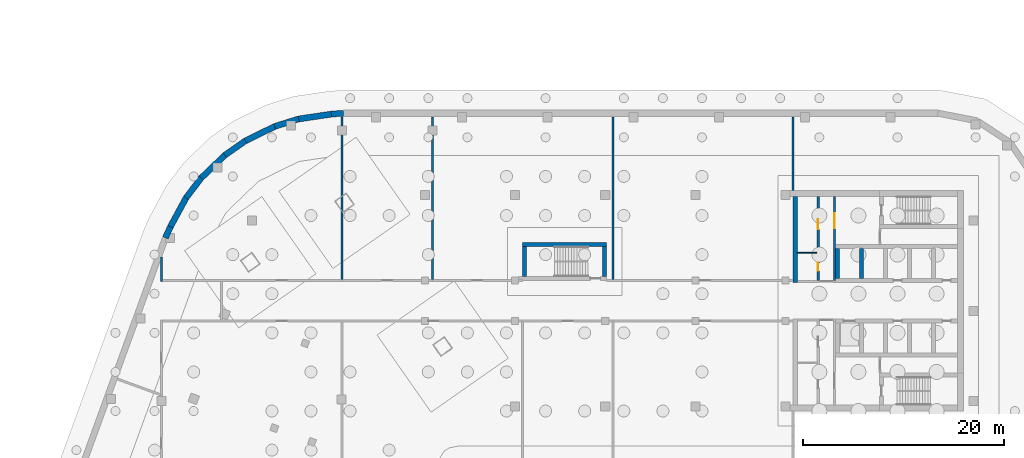
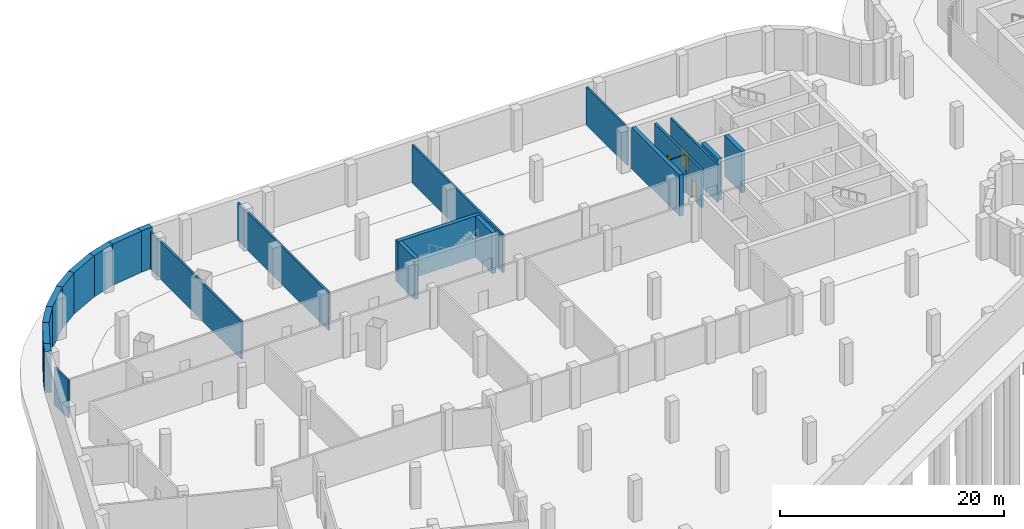
# One storey, part 10 of 18: 23 walls, 3 doors, 3 openings.
"""IFC4 building model written with IfcOpenShell, lengths in metres."""

from ifc_helpers import new_model, si_unit, direction, frame, frame_2d, origin, place, context, subcontext, project, spatial, rectangle, extrude, material, layer, layer_set, type_object, element, fill, save


model = new_model("IFC4")

# Units and contexts
model_context = context("Model", 3, precision=1e-05, world=origin(), true_north=direction((0.0, 1.0)))
body_context = subcontext(model_context, "Body", "Model", "MODEL_VIEW")
ifc_project = project(units=[si_unit("LENGTHUNIT", "METRE"), si_unit("AREAUNIT", "SQUARE_METRE"), si_unit("VOLUMEUNIT", "CUBIC_METRE"), si_unit("PLANEANGLEUNIT", "RADIAN"), si_unit("MASSUNIT", "GRAM", prefix="KILO")], contexts=[model_context])

# Site, building, storey
site_placement = place(None, origin())
site = spatial("IfcSite", under=ifc_project, at=site_placement, CompositionType="ELEMENT")
building_placement = place(site_placement, origin())
building = spatial("IfcBuilding", under=site, at=building_placement, Name="Skarvind Civic Tower", CompositionType="ELEMENT")
storey_placement = place(building_placement, frame((0.0, 0.0, -9.0)))
storey = spatial("IfcBuildingStorey", under=building, at=storey_placement, Name="B2", CompositionType="ELEMENT", Elevation=-9.0)

# Walls
ifc_material_1 = material(Name="Concrete C40", Category="concrete")
ifc_layer_1 = layer(ifc_material_1, 0.60009765625)
ifc_layer_set_1 = layer_set([ifc_layer_1], Name="Basement retaining wall 600 C40")
wall_type_1 = type_object("IfcWallType", Name="Basement retaining wall 600 C40", PredefinedType="SHEAR", material=ifc_layer_set_1)
wall_1_placement = place(storey_placement, frame((28.38037109375, 134.268310546875, 0.0), z_axis=(0.0, 0.0, 1.0), x_axis=(0.410489806774, 0.911865186601, 0.0)))
element("IfcWall", 1, at=wall_1_placement, inside=storey, type_object=wall_type_1, Name="Basement retaining wall B2 15", PredefinedType="SHEAR", context=body_context, shape_type="SweptSolid", body=[
    extrude(rectangle(XDim=1.216796875, YDim=0.60009765625, at=frame_2d((0.6083984375, 0.0))), origin(), (0.0, 0.0, 1.0), 4.5),
])
wall_2_placement = place(storey_placement, frame((28.8701171875, 135.35791015625, 0.0), z_axis=(0.0, 0.0, 1.0), x_axis=(0.476454595908, 0.879199077591, 0.0)))
element("IfcWall", 2, at=wall_2_placement, inside=storey, type_object=wall_type_1, Name="Basement retaining wall B2 16", PredefinedType="SHEAR", context=body_context, shape_type="SweptSolid", body=[
    extrude(rectangle(XDim=3.3486328125, YDim=0.60009765625, at=frame_2d((1.67431640625, 0.0))), origin(), (0.0, 0.0, 1.0), 4.5),
])
wall_3_placement = place(storey_placement, frame((30.440673828125, 138.262939453125, 0.0), z_axis=(0.0, 0.0, 1.0), x_axis=(0.606063715653, 0.79541610027, 0.0)))
element("IfcWall", 3, at=wall_3_placement, inside=storey, type_object=wall_type_1, Name="Basement retaining wall B2 17", PredefinedType="SHEAR", context=body_context, shape_type="SweptSolid", body=[
    extrude(rectangle(XDim=2.51171875, YDim=0.60009765625, at=frame_2d((1.255859375, 0.0))), origin(), (0.0, 0.0, 1.0), 4.5),
])
wall_4_placement = place(storey_placement, frame((31.931884765625, 140.226318359375, 0.0), z_axis=(0.0, 0.0, 1.0), x_axis=(0.721212073243, 0.692714331747, 0.0)))
element("IfcWall", 4, at=wall_4_placement, inside=storey, type_object=wall_type_1, Name="Basement retaining wall B2 18", PredefinedType="SHEAR", context=body_context, shape_type="SweptSolid", body=[
    extrude(rectangle(XDim=3.341064453125, YDim=0.60009765625, at=frame_2d((1.67041015625, 0.0))), origin(), (0.0, 0.0, 1.0), 4.5),
])
wall_5_placement = place(storey_placement, frame((34.305908203125, 142.511474609375, 0.0), z_axis=(0.0, 0.0, 1.0), x_axis=(0.819136010061, 0.57359933492, 0.0)))
element("IfcWall", 5, at=wall_5_placement, inside=storey, type_object=wall_type_1, Name="Basement retaining wall B2 19", PredefinedType="SHEAR", context=body_context, shape_type="SweptSolid", body=[
    extrude(rectangle(XDim=2.51171875, YDim=0.60009765625, at=frame_2d((1.255859375, 0.0))), origin(), (0.0, 0.0, 1.0), 4.5),
])
wall_6_placement = place(storey_placement, frame((36.323486328125, 143.928466796875, 0.0), z_axis=(0.0, 0.0, 1.0), x_axis=(0.897590342017, 0.440830554656, 0.0)))
element("IfcWall", 6, at=wall_6_placement, inside=storey, type_object=wall_type_1, Name="Basement retaining wall B2 20", PredefinedType="SHEAR", context=body_context, shape_type="SweptSolid", body=[
    extrude(rectangle(XDim=3.34130859375, YDim=0.60009765625, at=frame_2d((1.670654296875, 0.0))), origin(), (0.0, 0.0, 1.0), 4.5),
])
wall_7_placement = place(storey_placement, frame((39.279541015625, 145.384033203125, 0.0), z_axis=(0.0, 0.0, 1.0), x_axis=(0.954711451083, 0.297533267335, 0.0)))
element("IfcWall", 7, at=wall_7_placement, inside=storey, type_object=wall_type_1, Name="Basement retaining wall B2 21", PredefinedType="SHEAR", context=body_context, shape_type="SweptSolid", body=[
    extrude(rectangle(XDim=2.51171875, YDim=0.60009765625, at=frame_2d((1.255859375, 0.0))), origin(), (0.0, 0.0, 1.0), 4.5),
])
wall_8_placement = place(storey_placement, frame((41.63232421875, 146.120849609375, 0.0), z_axis=(0.0, 0.0, 1.0), x_axis=(0.989117960185, 0.14712464389, 0.0)))
element("IfcWall", 8, at=wall_8_placement, inside=storey, type_object=wall_type_1, Name="Basement retaining wall B2 22", PredefinedType="SHEAR", context=body_context, shape_type="SweptSolid", body=[
    extrude(rectangle(XDim=3.3486328125, YDim=0.60009765625, at=frame_2d((1.67431640625, 0.0))), origin(), (0.0, 0.0, 1.0), 4.5),
])
wall_9_placement = place(storey_placement, frame((44.922607421875, 146.611083984375, 0.0), z_axis=(0.0, 0.0, 1.0), x_axis=(0.99726994401, 0.073842120603, 0.0)))
element("IfcWall", 9, at=wall_9_placement, inside=storey, type_object=wall_type_1, Name="Basement retaining wall B2 23", PredefinedType="SHEAR", context=body_context, shape_type="SweptSolid", body=[
    extrude(rectangle(XDim=1.216796875, YDim=0.60009765625, at=frame_2d((0.6083984375, 0.0))), origin(), (0.0, 0.0, 1.0), 4.5),
])

# Wall, opening, door
ifc_material_2 = material(Name="Fire-rated masonry partition", Category="masonry")
ifc_layer_2 = layer(ifc_material_2, 0.199951171875)
ifc_layer_set_2 = layer_set([ifc_layer_2], Name="Core enclosure wall 200")
wall_type_2 = type_object("IfcWallType", Name="Core enclosure wall 200", PredefinedType="PARTITIONING", material=ifc_layer_set_2)
wall_10_placement = place(storey_placement, frame((95.10009765625, 130.0, 0.0), z_axis=(0.0, 0.0, 1.0), x_axis=(0.0, 1.0, 0.0)))
wall_10 = element("IfcWall", 10, at=wall_10_placement, inside=storey, type_object=wall_type_2, Name="Core wall C1", PredefinedType="PARTITIONING", context=body_context, shape_type="SweptSolid", body=[
    extrude(rectangle(XDim=8.39990234375, YDim=0.199951171875, at=frame_2d((4.199951171875, 0.0))), origin(), (0.0, 0.0, 1.0), 4.125),
])
opening_1_placement = place(wall_10_placement, frame((5.25, 0.0, 0.0)))
opening_1 = element("IfcOpeningElement", 11, at=opening_1_placement, cuts=wall_10, Name="Opening D-B2-C1-13", PredefinedType="OPENING", context=body_context, shape_type="SweptSolid", body=[
    extrude(rectangle(XDim=1.5, YDim=2.10009765625, at=frame_2d((0.75, 1.050048828125))), frame((0.0, 0.10986328125, 0.0), z_axis=(0.0, -1.0, 0.0), x_axis=(1.0, 0.0, 0.0)), (0.0, 0.0, 1.0), 0.219970703125),
])
ifc_material_3 = material(Name="Fire-rated steel door", Category="steel")
door_type_1 = type_object("IfcDoorType", Name="Fire door 1500", OperationType="NOTDEFINED", PredefinedType="DOOR", material=ifc_material_3)
door_1_placement = place(opening_1_placement, origin())
door_1 = element("IfcDoor", 12, at=door_1_placement, inside=storey, type_object=door_type_1, Name="Fire door", OperationType="DOUBLE_DOOR_SINGLE_SWING", OverallHeight=2.10009765625, OverallWidth=1.5, PredefinedType="DOOR", context=body_context, shape_type="SweptSolid", body=[
    extrude(rectangle(XDim=1.5, YDim=2.10009765625, at=frame_2d((0.75, 1.050048828125))), frame((0.0, 0.02490234375, 0.0), z_axis=(0.0, -1.0, 0.0), x_axis=(1.0, 0.0, 0.0)), (0.0, 0.0, 1.0), 0.050048828125),
])
fill(opening_1, door_1)

# Walls
ifc_material_4 = material(Name="Fire-rated plasterboard partition")
ifc_layer_3 = layer(ifc_material_4, 0.10009765625)
ifc_layer_set_3 = layer_set([ifc_layer_3], Name="Core partition wall 100")
wall_type_3 = type_object("IfcWallType", Name="Core partition wall 100", PredefinedType="PARTITIONING", material=ifc_layer_set_3)
wall_11_placement = place(storey_placement, frame((91.39990234375, 132.800048828125, 0.0), z_axis=(0.0, 0.0, 1.0), x_axis=(1.0, 0.0, 0.0)))
element("IfcWall", 13, at=wall_11_placement, inside=storey, type_object=wall_type_3, Name="Core wall C1", PredefinedType="PARTITIONING", context=body_context, shape_type="SweptSolid", body=[
    extrude(rectangle(XDim=1.9501953125, YDim=0.10009765625, at=frame_2d((0.97509765625, 0.0))), origin(), (0.0, 0.0, 1.0), 4.125),
])
ifc_material_5 = material(Name="Concrete C80", Category="concrete")
ifc_layer_4 = layer(ifc_material_5, 0.39990234375)
ifc_layer_set_4 = layer_set([ifc_layer_4], Name="Core wall 400 C80")
wall_type_4 = type_object("IfcWallType", Name="Core wall 400 C80", PredefinedType="SHEAR", material=ifc_layer_set_4)
for number, where, z_axis, x_axis, name in (
    (14, (97.800048828125, 133.199951171875, 0.0), (0.0, 0.0, 1.0), (0.0, -1.0, 0.0), "Core wall C1 south lift row division 4 B2"),
    (15, (95.39990234375, 133.199951171875, 0.0), (0.0, 0.0, 1.0), (0.0, -1.0, 0.0), "Core wall C1 south lift row division 5 B2"),
):
    element("IfcWall", number, at=place(storey_placement, frame(where, z_axis=z_axis, x_axis=x_axis)), inside=storey, type_object=wall_type_4, Name=name, PredefinedType="SHEAR", context=body_context, shape_type="SweptSolid", body=[
        extrude(rectangle(XDim=3.0, YDim=0.39990234375, at=frame_2d((1.5, 0.0))), origin(), (0.0, 0.0, 1.0), 4.5),
    ])
wall_12_placement = place(storey_placement, frame((91.199951171875, 138.39990234375, 0.0), z_axis=(0.0, 0.0, 1.0), x_axis=(0.0, -1.0, 0.0)))
element("IfcWall", 16, at=wall_12_placement, inside=storey, type_object=wall_type_4, Name="Core wall C1 south inner face B2", PredefinedType="SHEAR", context=body_context, shape_type="SweptSolid", body=[
    extrude(rectangle(XDim=8.599853515625, YDim=0.39990234375, at=frame_2d((4.2998046875, 0.0))), origin(), (0.0, 0.0, 1.0), 4.5),
])
wall_13_placement = place(storey_placement, frame((64.0, 133.60009765625, 0.0), z_axis=(0.0, 0.0, 1.0), x_axis=(1.0, 0.0, 0.0)))
element("IfcWall", 17, at=wall_13_placement, inside=storey, type_object=wall_type_4, Name="Core wall CM outer B2", PredefinedType="SHEAR", context=body_context, shape_type="SweptSolid", body=[
    extrude(rectangle(XDim=8.39990234375, YDim=0.39990234375, at=frame_2d((4.199951171875, 0.0))), origin(), (0.0, 0.0, 1.0), 4.5),
])
for number, where, z_axis, x_axis, name in (
    (18, (64.199951171875, 130.39990234375, 0.0), (0.0, 0.0, 1.0), (0.0, 1.0, 0.0), "Core wall CM west B2"),
    (19, (72.199951171875, 130.39990234375, 0.0), (0.0, 0.0, 1.0), (0.0, 1.0, 0.0), "Core wall CM end B2"),
):
    element("IfcWall", number, at=place(storey_placement, frame(where, z_axis=z_axis, x_axis=x_axis)), inside=storey, type_object=wall_type_4, Name=name, PredefinedType="SHEAR", context=body_context, shape_type="SweptSolid", body=[
        extrude(rectangle(XDim=3.0, YDim=0.39990234375, at=frame_2d((1.5, 0.0))), origin(), (0.0, 0.0, 1.0), 4.5),
    ])
ifc_material_6 = material(Name="Fire-rated blockwork wall, plastered", Category="masonry")
ifc_layer_5 = layer(ifc_material_6, 0.199951171875)
ifc_layer_set_5 = layer_set([ifc_layer_5], Name="FIRE WALL 200 EI 120")
wall_type_5 = type_object("IfcWallType", Name="FIRE WALL 200 EI 120", PredefinedType="PARTITIONING", material=ifc_layer_set_5)
wall_14_placement = place(storey_placement, frame((46.0, 130.10009765625, 0.0), z_axis=(0.0, 0.0, 1.0), x_axis=(0.0, 1.0, 0.0)))
element("IfcWall", 20, at=wall_14_placement, inside=storey, type_object=wall_type_5, Name="Basement partition B2 018", PredefinedType="PARTITIONING", context=body_context, shape_type="SweptSolid", body=[
    extrude(rectangle(XDim=16.239990234375, YDim=0.199951171875, at=frame_2d((8.1201171875, 0.0))), origin(), (0.0, 0.0, 1.0), 4.125),
])
wall_15_placement = place(storey_placement, frame((55.0, 130.10009765625, 0.0), z_axis=(0.0, 0.0, 1.0), x_axis=(0.0, 1.0, 0.0)))
element("IfcWall", 21, at=wall_15_placement, inside=storey, type_object=wall_type_5, Name="Basement partition B2 023", PredefinedType="PARTITIONING", context=body_context, shape_type="SweptSolid", body=[
    extrude(rectangle(XDim=16.25, YDim=0.199951171875, at=frame_2d((8.125, 0.0))), origin(), (0.0, 0.0, 1.0), 4.125),
])
ifc_layer_6 = layer(ifc_material_6, 0.199951171875)
ifc_layer_set_6 = layer_set([ifc_layer_6], Name="FIRE WALL 200 EI 60")
wall_type_6 = type_object("IfcWallType", Name="FIRE WALL 200 EI 60", PredefinedType="PARTITIONING", material=ifc_layer_set_6)
wall_16_placement = place(storey_placement, frame((28.0, 129.89990234375, 0.0), z_axis=(0.0, 0.0, 1.0), x_axis=(0.0, 1.0, 0.0)))
element("IfcWall", 22, at=wall_16_placement, inside=storey, type_object=wall_type_6, Name="Basement partition B2 008", PredefinedType="PARTITIONING", context=body_context, shape_type="SweptSolid", body=[
    extrude(rectangle(XDim=2.463134765625, YDim=0.199951171875, at=frame_2d((1.2314453125, 0.0))), origin(), (0.0, 0.0, 1.0), 4.125),
])
wall_17_placement = place(storey_placement, frame((73.0, 130.10009765625, 0.0), z_axis=(0.0, 0.0, 1.0), x_axis=(0.0, 1.0, 0.0)))
element("IfcWall", 23, at=wall_17_placement, inside=storey, type_object=wall_type_6, Name="Basement partition B2 034", PredefinedType="PARTITIONING", context=body_context, shape_type="SweptSolid", body=[
    extrude(rectangle(XDim=16.25, YDim=0.199951171875, at=frame_2d((8.125, 0.0))), origin(), (0.0, 0.0, 1.0), 4.125),
])
wall_18_placement = place(storey_placement, frame((91.0, 139.0, 0.0), z_axis=(0.0, 0.0, 1.0), x_axis=(0.0, 1.0, 0.0)))
element("IfcWall", 24, at=wall_18_placement, inside=storey, type_object=wall_type_6, Name="Basement partition B2 038", PredefinedType="PARTITIONING", context=body_context, shape_type="SweptSolid", body=[
    extrude(rectangle(XDim=7.35009765625, YDim=0.199951171875, at=frame_2d((3.675048828125, 0.0))), origin(), (0.0, 0.0, 1.0), 4.125),
])

# Wall, openings, doors
ifc_layer_7 = layer(ifc_material_2, 0.25)
ifc_layer_set_7 = layer_set([ifc_layer_7], Name="Service block wall 250")
wall_type_7 = type_object("IfcWallType", Name="Service block wall 250", PredefinedType="PARTITIONING", material=ifc_layer_set_7)
wall_19_placement = place(storey_placement, frame((93.47509765625, 130.0, 0.0), z_axis=(0.0, 0.0, 1.0), x_axis=(0.0, 1.0, 0.0)))
wall_19 = element("IfcWall", 25, at=wall_19_placement, inside=storey, type_object=wall_type_7, Name="Core wall C1", PredefinedType="PARTITIONING", context=body_context, shape_type="SweptSolid", body=[
    extrude(rectangle(XDim=8.39990234375, YDim=0.25, at=frame_2d((4.199951171875, 0.0))), origin(), (0.0, 0.0, 1.0), 4.125),
])
opening_2_placement = place(wall_19_placement, frame((0.97509765625, 0.0, 0.0)))
opening_2 = element("IfcOpeningElement", 26, at=opening_2_placement, cuts=wall_19, Name="Opening D-B2-C1-16", PredefinedType="OPENING", context=body_context, shape_type="SweptSolid", body=[
    extrude(rectangle(XDim=0.800048828125, YDim=2.10009765625, at=frame_2d((0.39990234375, 1.050048828125))), frame((0.0, 0.135009765625, 0.0), z_axis=(0.0, -1.0, 0.0), x_axis=(1.0, 0.0, 0.0)), (0.0, 0.0, 1.0), 0.27001953125),
])
opening_3_placement = place(wall_19_placement, frame((5.125, 0.0, 0.0)))
opening_3 = element("IfcOpeningElement", 27, at=opening_3_placement, cuts=wall_19, Name="Opening D-B2-C1-17", PredefinedType="OPENING", context=body_context, shape_type="SweptSolid", body=[
    extrude(rectangle(XDim=1.0, YDim=2.10009765625, at=frame_2d((0.5, 1.050048828125))), frame((0.0, 0.135009765625, 0.0), z_axis=(0.0, -1.0, 0.0), x_axis=(1.0, 0.0, 0.0)), (0.0, 0.0, 1.0), 0.27001953125),
])
door_type_2 = type_object("IfcDoorType", Name="Core riser door 800", OperationType="NOTDEFINED", PredefinedType="DOOR", material=ifc_material_3)
door_2_placement = place(opening_2_placement, origin())
door_2 = element("IfcDoor", 28, at=door_2_placement, inside=storey, type_object=door_type_2, Name="Riser door", OperationType="SINGLE_SWING_RIGHT", OverallHeight=2.10009765625, OverallWidth=0.800048828125, PredefinedType="DOOR", context=body_context, shape_type="SweptSolid", body=[
    extrude(rectangle(XDim=0.800048828125, YDim=2.10009765625, at=frame_2d((0.39990234375, 1.050048828125))), frame((0.0, 0.02490234375, 0.0), z_axis=(0.0, -1.0, 0.0), x_axis=(1.0, 0.0, 0.0)), (0.0, 0.0, 1.0), 0.050048828125),
])
fill(opening_2, door_2)
door_type_3 = type_object("IfcDoorType", Name="Fire door 1000", OperationType="NOTDEFINED", PredefinedType="DOOR", material=ifc_material_3)
door_3_placement = place(opening_3_placement, origin())
door_3 = element("IfcDoor", 29, at=door_3_placement, inside=storey, type_object=door_type_3, Name="Fire door", OperationType="SINGLE_SWING_LEFT", OverallHeight=2.10009765625, OverallWidth=1.0, PredefinedType="DOOR", context=body_context, shape_type="SweptSolid", body=[
    extrude(rectangle(XDim=1.0, YDim=2.10009765625, at=frame_2d((0.5, 1.050048828125))), frame((0.0, 0.02490234375, 0.0), z_axis=(0.0, -1.0, 0.0), x_axis=(1.0, 0.0, 0.0)), (0.0, 0.0, 1.0), 0.050048828125),
])
fill(opening_3, door_3)

save(model, "model.ifc")
